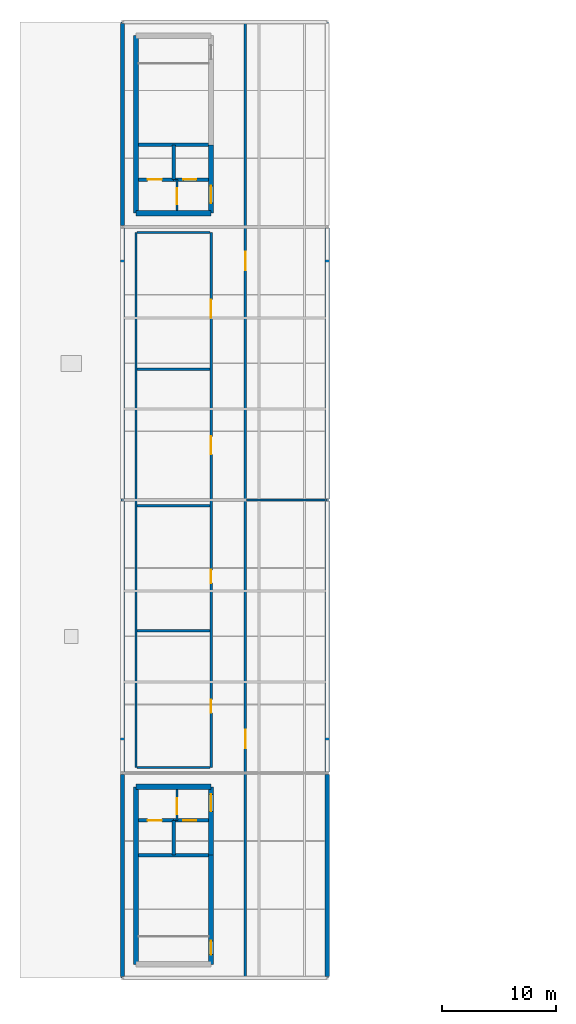
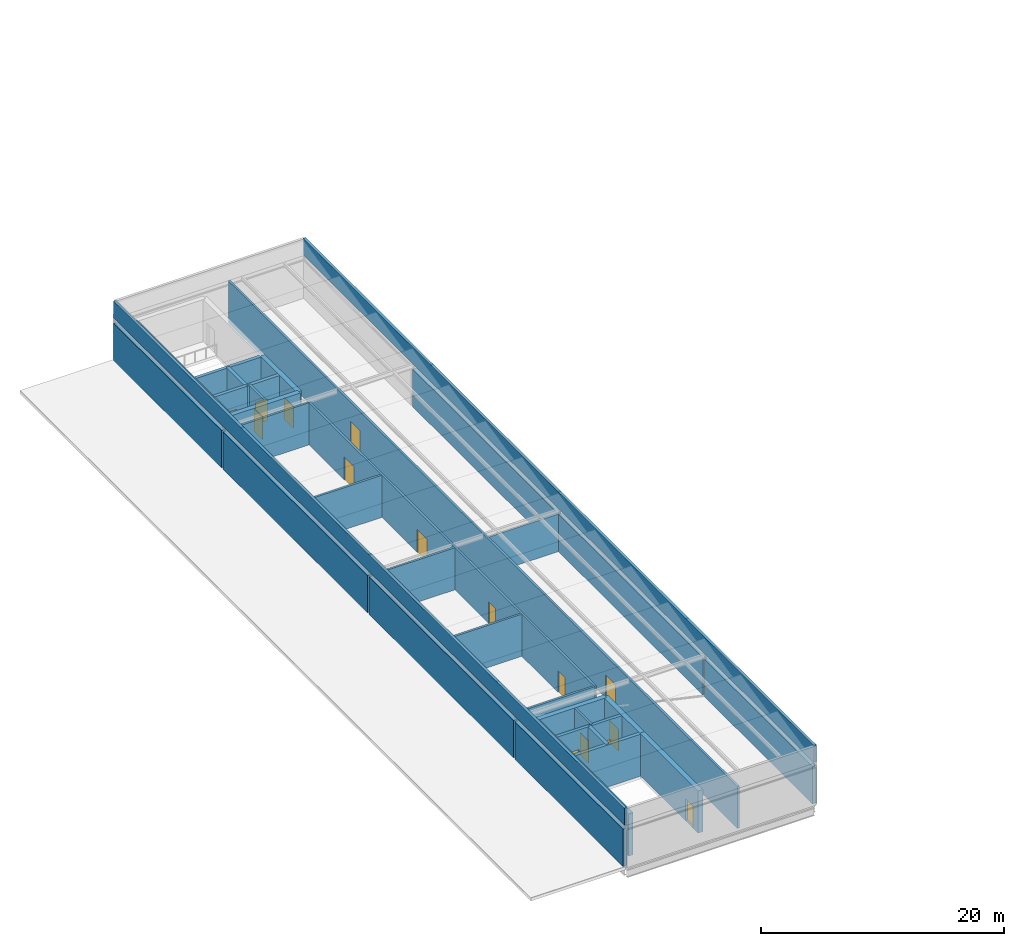
# One storey, part 9 of 13: 35 walls, 15 doors, 15 openings.
"""IFC4 building model written with IfcOpenShell, lengths in metres."""

from ifc_helpers import new_model, si_unit, direction, frame, frame_2d, origin, place, context, subcontext, project, spatial, rectangle, extrude, material, layer, layer_set, type_object, element, fill, save


model = new_model("IFC4")

# Units and contexts
model_context = context("Model", 3, precision=1e-05, world=origin(), true_north=direction((0.0, 1.0)))
body_context = subcontext(model_context, "Body", "Model", "MODEL_VIEW")
ifc_project = project(units=[si_unit("LENGTHUNIT", "METRE"), si_unit("AREAUNIT", "SQUARE_METRE"), si_unit("VOLUMEUNIT", "CUBIC_METRE"), si_unit("PLANEANGLEUNIT", "RADIAN"), si_unit("MASSUNIT", "GRAM", prefix="KILO")], contexts=[model_context])

# Site, building, storey
site_placement = place(None, origin())
site = spatial("IfcSite", under=ifc_project, at=site_placement, CompositionType="ELEMENT")
building_placement = place(site_placement, origin())
building = spatial("IfcBuilding", under=site, at=building_placement, Name="Kisiwana Market Hall", CompositionType="ELEMENT")
storey_placement = place(building_placement, frame((0.0, 0.0, 69.89990234375)))
storey = spatial("IfcBuildingStorey", under=building, at=storey_placement, Name="L16", CompositionType="ELEMENT", Elevation=69.89990234375)

# Wall, opening, door
ifc_material_1 = material(Name="Masonry blockwork", Category="masonry")
ifc_layer_1 = layer(ifc_material_1, 0.199951171875, Name="Plastered fire compartment block wall")
ifc_layer_set_1 = layer_set([ifc_layer_1], Name="WL-COMP-200")
wall_type_1 = type_object("IfcWallType", Name="WL-COMP-200", PredefinedType="PARTITIONING", material=ifc_layer_set_1)
wall_1_placement = place(storey_placement, frame((13.800048828125, 31.844970703125, 0.0), z_axis=(0.0, 0.0, 1.0), x_axis=(0.0, 1.0, 0.0)))
wall_1 = element("IfcWall", 1, at=wall_1_placement, inside=storey, type_object=wall_type_1, Name="Core W2 firefighting lobby wall W-3547", PredefinedType="PARTITIONING", context=body_context, shape_type="SweptSolid", body=[
    extrude(rectangle(XDim=2.72998046875, YDim=0.199951171875, at=frame_2d((1.364990234375, 0.0))), origin(), (0.0, 0.0, 1.0), 4.22509765625),
])
opening_1_placement = place(wall_1_placement, frame((0.550048828125, 0.0, 0.0)))
opening_1 = element("IfcOpeningElement", 2, at=opening_1_placement, cuts=wall_1, Name="Opening DR-L16-003", PredefinedType="OPENING", context=body_context, shape_type="SweptSolid", body=[
    extrude(rectangle(XDim=1.39990234375, YDim=2.25, at=frame_2d((0.699951171875, 1.125))), frame((0.0, 0.11181640625, 0.0), z_axis=(0.0, -1.0, 0.0), x_axis=(1.0, 0.0, 0.0)), (0.0, 0.0, 1.0), 0.223876953125),
])
ifc_material_2 = material(Name="Steel S275", Category="steel")
door_type_1 = type_object("IfcDoorType", Name="DR-FFLOB-FD120-1400", OperationType="DOUBLE_DOOR_SINGLE_SWING", PredefinedType="DOOR", material=ifc_material_2)
door_1_placement = place(opening_1_placement, frame((1.39990234375, 0.0, 0.0), z_axis=(0.0, 0.0, 1.0), x_axis=(-1.0, 0.0, 0.0)))
door_1 = element("IfcDoor", 3, at=door_1_placement, inside=storey, type_object=door_type_1, Name="Firefighting Lift Lobby W2 Door (L16)", OperationType="DOUBLE_DOOR_SINGLE_SWING", OverallHeight=2.25, OverallWidth=1.39990234375, PredefinedType="DOOR", context=body_context, shape_type="SweptSolid", body=[
    extrude(rectangle(XDim=1.39990234375, YDim=2.25, at=frame_2d((0.699951171875, 1.125))), frame((0.0, 0.02490234375, 0.0), z_axis=(0.0, -1.0, 0.0), x_axis=(1.0, 0.0, 0.0)), (0.0, 0.0, 1.0), 0.050048828125),
])
fill(opening_1, door_1)

wall_2_placement = place(storey_placement, frame((13.800048828125, 85.425048828125, 0.0), z_axis=(0.0, 0.0, 1.0), x_axis=(0.0, 1.0, 0.0)))
wall_2 = element("IfcWall", 4, at=wall_2_placement, inside=storey, type_object=wall_type_1, Name="Core W1 firefighting lobby wall W-3548", PredefinedType="PARTITIONING", context=body_context, shape_type="SweptSolid", body=[
    extrude(rectangle(XDim=2.72998046875, YDim=0.199951171875, at=frame_2d((1.364990234375, 0.0))), origin(), (0.0, 0.0, 1.0), 4.22509765625),
])
opening_2_placement = place(wall_2_placement, frame((0.550048828125, 0.0, 0.0)))
opening_2 = element("IfcOpeningElement", 5, at=opening_2_placement, cuts=wall_2, Name="Opening DR-L16-006", PredefinedType="OPENING", context=body_context, shape_type="SweptSolid", body=[
    extrude(rectangle(XDim=1.39990234375, YDim=2.25, at=frame_2d((0.699951171875, 1.125))), frame((0.0, 0.11181640625, 0.0), z_axis=(0.0, -1.0, 0.0), x_axis=(1.0, 0.0, 0.0)), (0.0, 0.0, 1.0), 0.223876953125),
])
door_2_placement = place(opening_2_placement, frame((1.39990234375, 0.0, 0.0), z_axis=(0.0, 0.0, 1.0), x_axis=(-1.0, 0.0, 0.0)))
door_2 = element("IfcDoor", 6, at=door_2_placement, inside=storey, type_object=door_type_1, Name="Firefighting Lift Lobby W1 Door (L16)", OperationType="DOUBLE_DOOR_SINGLE_SWING", OverallHeight=2.25, OverallWidth=1.39990234375, PredefinedType="DOOR", context=body_context, shape_type="SweptSolid", body=[
    extrude(rectangle(XDim=1.39990234375, YDim=2.25, at=frame_2d((0.699951171875, 1.125))), frame((0.0, 0.02490234375, 0.0), z_axis=(0.0, -1.0, 0.0), x_axis=(1.0, 0.0, 0.0)), (0.0, 0.0, 1.0), 0.050048828125),
])
fill(opening_2, door_2)

# Wall
wall_3_placement = place(storey_placement, frame((10.199951171875, 36.5, 0.0), z_axis=(0.0, 0.0, 1.0), x_axis=(0.0, 1.0, 0.0)))
element("IfcWall", 7, at=wall_3_placement, inside=storey, type_object=wall_type_1, Name="Interior partition W-3551", PredefinedType="PARTITIONING", context=body_context, shape_type="SweptSolid", body=[
    extrude(rectangle(XDim=47.0, YDim=0.199951171875, at=frame_2d((23.5, 0.0))), origin(), (0.0, 0.0, 1.0), 4.22509765625),
])

# Wall, openings, doors
wall_4_placement = place(storey_placement, frame((16.800048828125, 36.5, 0.0), z_axis=(0.0, 0.0, 1.0), x_axis=(0.0, 1.0, 0.0)))
wall_4 = element("IfcWall", 8, at=wall_4_placement, inside=storey, type_object=wall_type_1, Name="Interior partition W-3552", PredefinedType="PARTITIONING", context=body_context, shape_type="SweptSolid", body=[
    extrude(rectangle(XDim=47.0, YDim=0.199951171875, at=frame_2d((23.5, 0.0))), origin(), (0.0, 0.0, 1.0), 4.22509765625),
])
opening_3_placement = place(wall_4_placement, frame((4.800048828125, 0.0, 0.0)))
opening_3 = element("IfcOpeningElement", 9, at=opening_3_placement, cuts=wall_4, Name="Opening DR-L16-013", PredefinedType="OPENING", context=body_context, shape_type="SweptSolid", body=[
    extrude(rectangle(XDim=1.14990234375, YDim=2.14990234375, at=frame_2d((0.574951171875, 1.074951171875))), frame((0.0, 0.11181640625, 0.0), z_axis=(0.0, -1.0, 0.0), x_axis=(1.0, 0.0, 0.0)), (0.0, 0.0, 1.0), 0.223876953125),
])
opening_4_placement = place(wall_4_placement, frame((16.199951171875, 0.0, 0.0)))
opening_4 = element("IfcOpeningElement", 10, at=opening_4_placement, cuts=wall_4, Name="Opening DR-L16-014", PredefinedType="OPENING", context=body_context, shape_type="SweptSolid", body=[
    extrude(rectangle(XDim=1.14990234375, YDim=2.14990234375, at=frame_2d((0.574951171875, 1.074951171875))), frame((0.0, 0.11181640625, 0.0), z_axis=(0.0, -1.0, 0.0), x_axis=(1.0, 0.0, 0.0)), (0.0, 0.0, 1.0), 0.223876953125),
])
opening_5_placement = place(wall_4_placement, frame((27.5, 0.0, 0.0)))
opening_5 = element("IfcOpeningElement", 11, at=opening_5_placement, cuts=wall_4, Name="Opening DR-L16-015", PredefinedType="OPENING", context=body_context, shape_type="SweptSolid", body=[
    extrude(rectangle(XDim=1.60009765625, YDim=2.300048828125, at=frame_2d((0.800048828125, 1.14990234375))), frame((0.0, 0.11181640625, 0.0), z_axis=(0.0, -1.0, 0.0), x_axis=(1.0, 0.0, 0.0)), (0.0, 0.0, 1.0), 0.223876953125),
])
opening_6_placement = place(wall_4_placement, frame((39.5, 0.0, 0.0)))
opening_6 = element("IfcOpeningElement", 12, at=opening_6_placement, cuts=wall_4, Name="Opening DR-L16-016", PredefinedType="OPENING", context=body_context, shape_type="SweptSolid", body=[
    extrude(rectangle(XDim=1.60009765625, YDim=2.300048828125, at=frame_2d((0.800048828125, 1.14990234375))), frame((0.0, 0.11181640625, 0.0), z_axis=(0.0, -1.0, 0.0), x_axis=(1.0, 0.0, 0.0)), (0.0, 0.0, 1.0), 0.223876953125),
])
ifc_material_3 = material(Name="Aluminium alloy 6063-T6", Category="aluminium")
door_type_2 = type_object("IfcDoorType", Name="DR-MEET-1150", OperationType="NOTDEFINED", PredefinedType="DOOR", material=ifc_material_3)
door_3_placement = place(opening_3_placement, origin())
door_3 = element("IfcDoor", 13, at=door_3_placement, inside=storey, type_object=door_type_2, Name="L16 W Observatory Gallery Door", OperationType="SINGLE_SWING_LEFT", OverallHeight=2.14990234375, OverallWidth=1.14990234375, PredefinedType="DOOR", context=body_context, shape_type="SweptSolid", body=[
    extrude(rectangle(XDim=1.14990234375, YDim=2.14990234375, at=frame_2d((0.574951171875, 1.074951171875))), frame((0.0, 0.02490234375, 0.0), z_axis=(0.0, -1.0, 0.0), x_axis=(1.0, 0.0, 0.0)), (0.0, 0.0, 1.0), 0.050048828125),
])
fill(opening_3, door_3)
door_4_placement = place(opening_4_placement, origin())
door_4 = element("IfcDoor", 14, at=door_4_placement, inside=storey, type_object=door_type_2, Name="L16 W Crown Executive Boardroom Door", OperationType="SINGLE_SWING_LEFT", OverallHeight=2.14990234375, OverallWidth=1.14990234375, PredefinedType="DOOR", context=body_context, shape_type="SweptSolid", body=[
    extrude(rectangle(XDim=1.14990234375, YDim=2.14990234375, at=frame_2d((0.574951171875, 1.074951171875))), frame((0.0, 0.02490234375, 0.0), z_axis=(0.0, -1.0, 0.0), x_axis=(1.0, 0.0, 0.0)), (0.0, 0.0, 1.0), 0.050048828125),
])
fill(opening_4, door_4)
ifc_material_4 = material(Name="Steel S275", Category="steel")
door_type_3 = type_object("IfcDoorType", Name="DR-PLANT-FD120-1600", OperationType="DOUBLE_DOOR_SINGLE_SWING", PredefinedType="DOOR", material=ifc_material_4)
door_5_placement = place(opening_5_placement, origin())
door_5 = element("IfcDoor", 15, at=door_5_placement, inside=storey, type_object=door_type_3, Name="L16 W Water Tank Room Door", OperationType="DOUBLE_DOOR_SINGLE_SWING", OverallHeight=2.300048828125, OverallWidth=1.60009765625, PredefinedType="DOOR", context=body_context, shape_type="SweptSolid", body=[
    extrude(rectangle(XDim=1.60009765625, YDim=2.300048828125, at=frame_2d((0.800048828125, 1.14990234375))), frame((0.0, 0.02490234375, 0.0), z_axis=(0.0, -1.0, 0.0), x_axis=(1.0, 0.0, 0.0)), (0.0, 0.0, 1.0), 0.050048828125),
])
fill(opening_5, door_5)
door_6_placement = place(opening_6_placement, origin())
door_6 = element("IfcDoor", 16, at=door_6_placement, inside=storey, type_object=door_type_3, Name="L16 W Chiller Plant Door", OperationType="DOUBLE_DOOR_SINGLE_SWING", OverallHeight=2.300048828125, OverallWidth=1.60009765625, PredefinedType="DOOR", context=body_context, shape_type="SweptSolid", body=[
    extrude(rectangle(XDim=1.60009765625, YDim=2.300048828125, at=frame_2d((0.800048828125, 1.14990234375))), frame((0.0, 0.02490234375, 0.0), z_axis=(0.0, -1.0, 0.0), x_axis=(1.0, 0.0, 0.0)), (0.0, 0.0, 1.0), 0.050048828125),
])
fill(opening_6, door_6)

# Walls
for number, where, z_axis, x_axis, name in (
    (17, (10.300048828125, 36.5, 0.0), (0.0, 0.0, 1.0), (1.0, 0.0, 0.0), "Interior partition W-3553"),
    (18, (10.300048828125, 48.5, 0.0), (0.0, 0.0, 1.0), (1.0, 0.0, 0.0), "Interior partition W-3554"),
    (19, (10.300048828125, 59.5, 0.0), (0.0, 0.0, 1.0), (1.0, 0.0, 0.0), "Interior partition W-3555"),
    (20, (10.300048828125, 71.5, 0.0), (0.0, 0.0, 1.0), (1.0, 0.0, 0.0), "Interior partition W-3556"),
    (21, (10.300048828125, 83.5, 0.0), (0.0, 0.0, 1.0), (1.0, 0.0, 0.0), "Interior partition W-3557"),
):
    element("IfcWall", number, at=place(storey_placement, frame(where, z_axis=z_axis, x_axis=x_axis)), inside=storey, type_object=wall_type_1, Name=name, PredefinedType="PARTITIONING", context=body_context, shape_type="SweptSolid", body=[
        extrude(rectangle(XDim=6.39990234375, YDim=0.199951171875, at=frame_2d((3.199951171875, 0.0))), origin(), (0.0, 0.0, 1.0), 4.22509765625),
    ])
wall_5_placement = place(storey_placement, frame((19.89990234375, 60.0, 0.0), z_axis=(0.0, 0.0, 1.0), x_axis=(1.0, 0.0, 0.0)))
element("IfcWall", 22, at=wall_5_placement, inside=storey, type_object=wall_type_1, Name="Interior partition W-3558", PredefinedType="PARTITIONING", context=body_context, shape_type="SweptSolid", body=[
    extrude(rectangle(XDim=6.955078125, YDim=0.199951171875, at=frame_2d((3.4775390625, 0.0))), origin(), (0.0, 0.0, 1.0), 3.76513671875),
])

# Wall, openings, doors
wall_6_placement = place(storey_placement, frame((19.800048828125, 18.14501953125, 0.0), z_axis=(0.0, 0.0, 1.0), x_axis=(0.0, 1.0, 0.0)))
wall_6 = element("IfcWall", 23, at=wall_6_placement, inside=storey, type_object=wall_type_1, Name="Interior partition W-3559", PredefinedType="PARTITIONING", context=body_context, shape_type="SweptSolid", body=[
    extrude(rectangle(XDim=83.7099609375, YDim=0.199951171875, at=frame_2d((41.85498046875, 0.0))), origin(), (0.0, 0.0, 1.0), 4.22509765625),
])
opening_7_placement = place(wall_6_placement, frame((20.054931640625, 0.0, 0.0)))
opening_7 = element("IfcOpeningElement", 24, at=opening_7_placement, cuts=wall_6, Name="Opening DR-L16-017", PredefinedType="OPENING", context=body_context, shape_type="SweptSolid", body=[
    extrude(rectangle(XDim=1.60009765625, YDim=2.300048828125, at=frame_2d((0.800048828125, 1.14990234375))), frame((0.0, 0.11181640625, 0.0), z_axis=(0.0, -1.0, 0.0), x_axis=(1.0, 0.0, 0.0)), (0.0, 0.0, 1.0), 0.223876953125),
])
opening_8_placement = place(wall_6_placement, frame((62.054931640625, 0.0, 0.0)))
opening_8 = element("IfcOpeningElement", 25, at=opening_8_placement, cuts=wall_6, Name="Opening DR-L16-018", PredefinedType="OPENING", context=body_context, shape_type="SweptSolid", body=[
    extrude(rectangle(XDim=1.60009765625, YDim=2.300048828125, at=frame_2d((0.800048828125, 1.14990234375))), frame((0.0, 0.11181640625, 0.0), z_axis=(0.0, -1.0, 0.0), x_axis=(1.0, 0.0, 0.0)), (0.0, 0.0, 1.0), 0.223876953125),
])
door_7_placement = place(opening_7_placement, frame((1.60009765625, 0.0, 0.0), z_axis=(0.0, 0.0, 1.0), x_axis=(-1.0, 0.0, 0.0)))
door_7 = element("IfcDoor", 26, at=door_7_placement, inside=storey, type_object=door_type_3, Name="L16 W Lift Machine and Pressurization Fan Room Door", OperationType="DOUBLE_DOOR_SINGLE_SWING", OverallHeight=2.300048828125, OverallWidth=1.60009765625, PredefinedType="DOOR", context=body_context, shape_type="SweptSolid", body=[
    extrude(rectangle(XDim=1.60009765625, YDim=2.300048828125, at=frame_2d((0.800048828125, 1.14990234375))), frame((0.0, 0.02490234375, 0.0), z_axis=(0.0, -1.0, 0.0), x_axis=(1.0, 0.0, 0.0)), (0.0, 0.0, 1.0), 0.050048828125),
])
fill(opening_7, door_7)
door_8_placement = place(opening_8_placement, frame((1.60009765625, 0.0, 0.0), z_axis=(0.0, 0.0, 1.0), x_axis=(-1.0, 0.0, 0.0)))
door_8 = element("IfcDoor", 27, at=door_8_placement, inside=storey, type_object=door_type_3, Name="L16 W Standby Power and Switchgear Plant Room Door", OperationType="DOUBLE_DOOR_SINGLE_SWING", OverallHeight=2.300048828125, OverallWidth=1.60009765625, PredefinedType="DOOR", context=body_context, shape_type="SweptSolid", body=[
    extrude(rectangle(XDim=1.60009765625, YDim=2.300048828125, at=frame_2d((0.800048828125, 1.14990234375))), frame((0.0, 0.02490234375, 0.0), z_axis=(0.0, -1.0, 0.0), x_axis=(1.0, 0.0, 0.0)), (0.0, 0.0, 1.0), 0.050048828125),
])
fill(opening_8, door_8)

# Walls
ifc_material_5 = material(Name="Concrete C40/50", Category="concrete")
ifc_layer_2 = layer(ifc_material_5, 0.320068359375, Name="Reinforced concrete shaft wall")
ifc_layer_set_2 = layer_set([ifc_layer_2], Name="WL-CORE-320")
wall_type_2 = type_object("IfcWallType", Name="WL-CORE-320", PredefinedType="SHEAR", material=ifc_layer_set_2)
wall_7_placement = place(storey_placement, frame((10.425048828125, 28.784912109375, 0.0), z_axis=(0.0, 0.0, 1.0), x_axis=(1.0, 0.0, 0.0)))
element("IfcWall", 28, at=wall_7_placement, inside=storey, type_object=wall_type_2, Name="Core W2 shaft back shear wall W-3496", PredefinedType="SHEAR", context=body_context, shape_type="SweptSolid", body=[
    extrude(rectangle(XDim=6.14990234375, YDim=0.320068359375, at=frame_2d((3.074951171875, 0.0))), origin(), (0.0, 0.0, 1.0), 4.22509765625),
])
wall_8_placement = place(storey_placement, frame((13.5, 28.784912109375, 0.0), z_axis=(0.0, 0.0, 1.0), x_axis=(0.0, 1.0, 0.0)))
element("IfcWall", 29, at=wall_8_placement, inside=storey, type_object=wall_type_2, Name="Core W2 inter-shaft shear wall W-3497", PredefinedType="SHEAR", context=body_context, shape_type="SweptSolid", body=[
    extrude(rectangle(XDim=3.06005859375, YDim=0.320068359375, at=frame_2d((1.530029296875, 0.0))), origin(), (0.0, 0.0, 1.0), 4.22509765625),
])

# Wall, opening, door
wall_9_placement = place(storey_placement, frame((10.425048828125, 31.844970703125, 0.0), z_axis=(0.0, 0.0, 1.0), x_axis=(1.0, 0.0, 0.0)))
wall_9 = element("IfcWall", 30, at=wall_9_placement, inside=storey, type_object=wall_type_2, Name="Core W2 west lift front wall W-3498", PredefinedType="SHEAR", context=body_context, shape_type="SweptSolid", body=[
    extrude(rectangle(XDim=3.074951171875, YDim=0.320068359375, at=frame_2d((1.53759765625, 0.0))), origin(), (0.0, 0.0, 1.0), 4.22509765625),
])
opening_9_placement = place(wall_9_placement, frame((0.800048828125, 0.0, 0.0)))
opening_9 = element("IfcOpeningElement", 31, at=opening_9_placement, cuts=wall_9, Name="Opening LD-L16-001", PredefinedType="OPENING", context=body_context, shape_type="SweptSolid", body=[
    extrude(rectangle(XDim=1.25, YDim=2.25, at=frame_2d((0.625, 1.125))), frame((0.0, 0.171875, 0.0), z_axis=(0.0, -1.0, 0.0), x_axis=(1.0, 0.0, 0.0)), (0.0, 0.0, 1.0), 0.343994140625),
])
ifc_material_6 = material(Name="Steel S275", Category="steel")
door_type_4 = type_object("IfcDoorType", Name="DR-LIFT-FFL-1250", OperationType="DOUBLE_DOOR_SLIDING", PredefinedType="DOOR", material=ifc_material_6)
door_9_placement = place(opening_9_placement, origin())
door_9 = element("IfcDoor", 32, at=door_9_placement, inside=storey, type_object=door_type_4, Name="Lift Landing Door FFL-01 (L16)", OperationType="DOUBLE_DOOR_SLIDING", OverallHeight=2.25, OverallWidth=1.25, PredefinedType="DOOR", context=body_context, shape_type="SweptSolid", body=[
    extrude(rectangle(XDim=1.25, YDim=2.25, at=frame_2d((0.625, 1.125))), frame((0.0, 0.02490234375, 0.0), z_axis=(0.0, -1.0, 0.0), x_axis=(1.0, 0.0, 0.0)), (0.0, 0.0, 1.0), 0.050048828125),
])
fill(opening_9, door_9)

wall_10_placement = place(storey_placement, frame((13.5, 31.844970703125, 0.0), z_axis=(0.0, 0.0, 1.0), x_axis=(1.0, 0.0, 0.0)))
wall_10 = element("IfcWall", 33, at=wall_10_placement, inside=storey, type_object=wall_type_2, Name="Core W2 east lift front wall W-3499", PredefinedType="SHEAR", context=body_context, shape_type="SweptSolid", body=[
    extrude(rectangle(XDim=3.074951171875, YDim=0.320068359375, at=frame_2d((1.53759765625, 0.0))), origin(), (0.0, 0.0, 1.0), 4.22509765625),
])
opening_10_placement = place(wall_10_placement, frame((0.85009765625, 0.0, 0.0)))
opening_10 = element("IfcOpeningElement", 34, at=opening_10_placement, cuts=wall_10, Name="Opening LD-L16-002", PredefinedType="OPENING", context=body_context, shape_type="SweptSolid", body=[
    extrude(rectangle(XDim=1.14990234375, YDim=2.199951171875, at=frame_2d((0.574951171875, 1.10009765625))), frame((0.0, 0.171875, 0.0), z_axis=(0.0, -1.0, 0.0), x_axis=(1.0, 0.0, 0.0)), (0.0, 0.0, 1.0), 0.343994140625),
])
ifc_material_7 = material(Name="Steel S275", Category="steel")
door_type_5 = type_object("IfcDoorType", Name="DR-LIFT-PAX-1150", OperationType="DOUBLE_DOOR_SLIDING", PredefinedType="DOOR", material=ifc_material_7)
door_10_placement = place(opening_10_placement, origin())
door_10 = element("IfcDoor", 35, at=door_10_placement, inside=storey, type_object=door_type_5, Name="Lift Landing Door LP-01 (L16)", OperationType="DOUBLE_DOOR_SLIDING", OverallHeight=2.199951171875, OverallWidth=1.14990234375, PredefinedType="DOOR", context=body_context, shape_type="SweptSolid", body=[
    extrude(rectangle(XDim=1.14990234375, YDim=2.199951171875, at=frame_2d((0.574951171875, 1.10009765625))), frame((0.0, 0.02490234375, 0.0), z_axis=(0.0, -1.0, 0.0), x_axis=(1.0, 0.0, 0.0)), (0.0, 0.0, 1.0), 0.050048828125),
])
fill(opening_10, door_10)

# Walls
wall_11_placement = place(storey_placement, frame((10.425048828125, 91.215087890625, 0.0), z_axis=(0.0, 0.0, 1.0), x_axis=(1.0, 0.0, 0.0)))
element("IfcWall", 36, at=wall_11_placement, inside=storey, type_object=wall_type_2, Name="Core W1 shaft back shear wall W-3505", PredefinedType="SHEAR", context=body_context, shape_type="SweptSolid", body=[
    extrude(rectangle(XDim=6.14990234375, YDim=0.320068359375, at=frame_2d((3.074951171875, 0.0))), origin(), (0.0, 0.0, 1.0), 4.22509765625),
])
wall_12_placement = place(storey_placement, frame((13.5, 88.155029296875, 0.0), z_axis=(0.0, 0.0, 1.0), x_axis=(0.0, 1.0, 0.0)))
element("IfcWall", 37, at=wall_12_placement, inside=storey, type_object=wall_type_2, Name="Core W1 inter-shaft shear wall W-3506", PredefinedType="SHEAR", context=body_context, shape_type="SweptSolid", body=[
    extrude(rectangle(XDim=3.06005859375, YDim=0.320068359375, at=frame_2d((1.530029296875, 0.0))), origin(), (0.0, 0.0, 1.0), 4.22509765625),
])

# Wall, opening, door
wall_13_placement = place(storey_placement, frame((10.425048828125, 88.155029296875, 0.0), z_axis=(0.0, 0.0, 1.0), x_axis=(1.0, 0.0, 0.0)))
wall_13 = element("IfcWall", 38, at=wall_13_placement, inside=storey, type_object=wall_type_2, Name="Core W1 west lift front wall W-3507", PredefinedType="SHEAR", context=body_context, shape_type="SweptSolid", body=[
    extrude(rectangle(XDim=3.074951171875, YDim=0.320068359375, at=frame_2d((1.53759765625, 0.0))), origin(), (0.0, 0.0, 1.0), 4.22509765625),
])
opening_11_placement = place(wall_13_placement, frame((0.800048828125, 0.0, 0.0)))
opening_11 = element("IfcOpeningElement", 39, at=opening_11_placement, cuts=wall_13, Name="Opening LD-L16-003", PredefinedType="OPENING", context=body_context, shape_type="SweptSolid", body=[
    extrude(rectangle(XDim=1.25, YDim=2.25, at=frame_2d((0.625, 1.125))), frame((0.0, 0.171875, 0.0), z_axis=(0.0, -1.0, 0.0), x_axis=(1.0, 0.0, 0.0)), (0.0, 0.0, 1.0), 0.343994140625),
])
door_11_placement = place(opening_11_placement, origin())
door_11 = element("IfcDoor", 40, at=door_11_placement, inside=storey, type_object=door_type_4, Name="Lift Landing Door FFL-02 (L16)", OperationType="DOUBLE_DOOR_SLIDING", OverallHeight=2.25, OverallWidth=1.25, PredefinedType="DOOR", context=body_context, shape_type="SweptSolid", body=[
    extrude(rectangle(XDim=1.25, YDim=2.25, at=frame_2d((0.625, 1.125))), frame((0.0, 0.02490234375, 0.0), z_axis=(0.0, -1.0, 0.0), x_axis=(1.0, 0.0, 0.0)), (0.0, 0.0, 1.0), 0.050048828125),
])
fill(opening_11, door_11)

wall_14_placement = place(storey_placement, frame((13.5, 88.155029296875, 0.0), z_axis=(0.0, 0.0, 1.0), x_axis=(1.0, 0.0, 0.0)))
wall_14 = element("IfcWall", 41, at=wall_14_placement, inside=storey, type_object=wall_type_2, Name="Core W1 east lift front wall W-3508", PredefinedType="SHEAR", context=body_context, shape_type="SweptSolid", body=[
    extrude(rectangle(XDim=3.074951171875, YDim=0.320068359375, at=frame_2d((1.53759765625, 0.0))), origin(), (0.0, 0.0, 1.0), 4.22509765625),
])
opening_12_placement = place(wall_14_placement, frame((0.85009765625, 0.0, 0.0)))
opening_12 = element("IfcOpeningElement", 42, at=opening_12_placement, cuts=wall_14, Name="Opening LD-L16-004", PredefinedType="OPENING", context=body_context, shape_type="SweptSolid", body=[
    extrude(rectangle(XDim=1.14990234375, YDim=2.199951171875, at=frame_2d((0.574951171875, 1.10009765625))), frame((0.0, 0.171875, 0.0), z_axis=(0.0, -1.0, 0.0), x_axis=(1.0, 0.0, 0.0)), (0.0, 0.0, 1.0), 0.343994140625),
])
door_12_placement = place(opening_12_placement, origin())
door_12 = element("IfcDoor", 43, at=door_12_placement, inside=storey, type_object=door_type_5, Name="Lift Landing Door LP-02 (L16)", OperationType="DOUBLE_DOOR_SLIDING", OverallHeight=2.199951171875, OverallWidth=1.14990234375, PredefinedType="DOOR", context=body_context, shape_type="SweptSolid", body=[
    extrude(rectangle(XDim=1.14990234375, YDim=2.199951171875, at=frame_2d((0.574951171875, 1.10009765625))), frame((0.0, 0.02490234375, 0.0), z_axis=(0.0, -1.0, 0.0), x_axis=(1.0, 0.0, 0.0)), (0.0, 0.0, 1.0), 0.050048828125),
])
fill(opening_12, door_12)

# Walls
ifc_material_8 = material(Name="Concrete C40/50", Category="concrete")
ifc_layer_3 = layer(ifc_material_8, 0.449951171875, Name="Reinforced concrete core wall")
ifc_layer_set_3 = layer_set([ifc_layer_3], Name="WL-CORE-450")
wall_type_3 = type_object("IfcWallType", Name="WL-CORE-450", PredefinedType="SHEAR", material=ifc_layer_set_3)
wall_15_placement = place(storey_placement, frame((10.199951171875, 34.800048828125, 0.0), z_axis=(0.0, 0.0, 1.0), x_axis=(1.0, 0.0, 0.0)))
element("IfcWall", 44, at=wall_15_placement, inside=storey, type_object=wall_type_3, Name="Core W2 north shear wall W-3492", PredefinedType="SHEAR", context=body_context, shape_type="SweptSolid", body=[
    extrude(rectangle(XDim=6.60009765625, YDim=0.449951171875, at=frame_2d((3.300048828125, 0.0))), origin(), (0.0, 0.0, 1.0), 4.22509765625),
])
wall_16_placement = place(storey_placement, frame((10.199951171875, 19.199951171875, 0.0), z_axis=(0.0, 0.0, 1.0), x_axis=(0.0, 1.0, 0.0)))
element("IfcWall", 45, at=wall_16_placement, inside=storey, type_object=wall_type_3, Name="Core W2 outer shear wall W-3493", PredefinedType="SHEAR", context=body_context, shape_type="SweptSolid", body=[
    extrude(rectangle(XDim=15.60009765625, YDim=0.449951171875, at=frame_2d((7.800048828125, 0.0))), origin(), (0.0, 0.0, 1.0), 4.22509765625),
])

# Wall, opening, door
wall_17_placement = place(storey_placement, frame((16.800048828125, 19.199951171875, 0.0), z_axis=(0.0, 0.0, 1.0), x_axis=(0.0, 1.0, 0.0)))
wall_17 = element("IfcWall", 46, at=wall_17_placement, inside=storey, type_object=wall_type_3, Name="Core W2 stair corridor shear wall W-3494", PredefinedType="SHEAR", context=body_context, shape_type="SweptSolid", body=[
    extrude(rectangle(XDim=9.5849609375, YDim=0.449951171875, at=frame_2d((4.79248046875, 0.0))), origin(), (0.0, 0.0, 1.0), 4.22509765625),
])
opening_13_placement = place(wall_17_placement, frame((0.85009765625, 0.0, 0.0)))
opening_13 = element("IfcOpeningElement", 47, at=opening_13_placement, cuts=wall_17, Name="Opening DR-L16-001", PredefinedType="OPENING", context=body_context, shape_type="SweptSolid", body=[
    extrude(rectangle(XDim=1.199951171875, YDim=2.199951171875, at=frame_2d((0.60009765625, 1.10009765625))), frame((0.0, 0.23681640625, 0.0), z_axis=(0.0, -1.0, 0.0), x_axis=(1.0, 0.0, 0.0)), (0.0, 0.0, 1.0), 0.473876953125),
])
ifc_material_9 = material(Name="Steel S275", Category="steel")
door_type_6 = type_object("IfcDoorType", Name="DR-STAIR-FD120-1200", OperationType="NOTDEFINED", PredefinedType="DOOR", material=ifc_material_9)
door_13_placement = place(opening_13_placement, origin())
door_13 = element("IfcDoor", 48, at=door_13_placement, inside=storey, type_object=door_type_6, Name="Escape Stair W2 Fire Door (L16)", OperationType="SINGLE_SWING_LEFT", OverallHeight=2.199951171875, OverallWidth=1.199951171875, PredefinedType="DOOR", context=body_context, shape_type="SweptSolid", body=[
    extrude(rectangle(XDim=1.199951171875, YDim=2.199951171875, at=frame_2d((0.60009765625, 1.10009765625))), frame((0.0, 0.02490234375, 0.0), z_axis=(0.0, -1.0, 0.0), x_axis=(1.0, 0.0, 0.0)), (0.0, 0.0, 1.0), 0.050048828125),
])
fill(opening_13, door_13)

wall_18_placement = place(storey_placement, frame((16.800048828125, 28.784912109375, 0.0), z_axis=(0.0, 0.0, 1.0), x_axis=(0.0, 1.0, 0.0)))
wall_18 = element("IfcWall", 49, at=wall_18_placement, inside=storey, type_object=wall_type_3, Name="Core W2 lobby corridor shear wall W-3495", PredefinedType="SHEAR", context=body_context, shape_type="SweptSolid", body=[
    extrude(rectangle(XDim=6.01513671875, YDim=0.449951171875, at=frame_2d((3.007568359375, 0.0))), origin(), (0.0, 0.0, 1.0), 4.22509765625),
])
opening_14_placement = place(wall_18_placement, frame((3.85009765625, 0.0, 0.0)))
opening_14 = element("IfcOpeningElement", 50, at=opening_14_placement, cuts=wall_18, Name="Opening DR-L16-002", PredefinedType="OPENING", context=body_context, shape_type="SweptSolid", body=[
    extrude(rectangle(XDim=1.5, YDim=2.199951171875, at=frame_2d((0.75, 1.10009765625))), frame((0.0, 0.23681640625, 0.0), z_axis=(0.0, -1.0, 0.0), x_axis=(1.0, 0.0, 0.0)), (0.0, 0.0, 1.0), 0.473876953125),
])
ifc_material_10 = material(Name="Steel S275", Category="steel")
door_type_7 = type_object("IfcDoorType", Name="DR-CORR-FD60-1500", OperationType="DOUBLE_DOOR_SINGLE_SWING", PredefinedType="DOOR", material=ifc_material_10)
door_14_placement = place(opening_14_placement, frame((1.5, 0.0, 0.0), z_axis=(0.0, 0.0, 1.0), x_axis=(-1.0, 0.0, 0.0)))
door_14 = element("IfcDoor", 51, at=door_14_placement, inside=storey, type_object=door_type_7, Name="Passenger Lift Lobby W2 Smoke Door (L16)", OperationType="DOUBLE_DOOR_SINGLE_SWING", OverallHeight=2.199951171875, OverallWidth=1.5, PredefinedType="DOOR", context=body_context, shape_type="SweptSolid", body=[
    extrude(rectangle(XDim=1.5, YDim=2.199951171875, at=frame_2d((0.75, 1.10009765625))), frame((0.0, 0.02490234375, 0.0), z_axis=(0.0, -1.0, 0.0), x_axis=(1.0, 0.0, 0.0)), (0.0, 0.0, 1.0), 0.050048828125),
])
fill(opening_14, door_14)

# Walls
wall_19_placement = place(storey_placement, frame((10.199951171875, 85.199951171875, 0.0), z_axis=(0.0, 0.0, 1.0), x_axis=(1.0, 0.0, 0.0)))
element("IfcWall", 52, at=wall_19_placement, inside=storey, type_object=wall_type_3, Name="Core W1 south shear wall W-3500", PredefinedType="SHEAR", context=body_context, shape_type="SweptSolid", body=[
    extrude(rectangle(XDim=6.60009765625, YDim=0.449951171875, at=frame_2d((3.300048828125, 0.0))), origin(), (0.0, 0.0, 1.0), 4.22509765625),
])
wall_20_placement = place(storey_placement, frame((10.199951171875, 85.199951171875, 0.0), z_axis=(0.0, 0.0, 1.0), x_axis=(0.0, 1.0, 0.0)))
element("IfcWall", 53, at=wall_20_placement, inside=storey, type_object=wall_type_3, Name="Core W1 outer shear wall W-3502", PredefinedType="SHEAR", context=body_context, shape_type="SweptSolid", body=[
    extrude(rectangle(XDim=15.60009765625, YDim=0.449951171875, at=frame_2d((7.800048828125, 0.0))), origin(), (0.0, 0.0, 1.0), 4.22509765625),
])

# Wall, opening, door
wall_21_placement = place(storey_placement, frame((16.800048828125, 85.199951171875, 0.0), z_axis=(0.0, 0.0, 1.0), x_axis=(0.0, 1.0, 0.0)))
wall_21 = element("IfcWall", 54, at=wall_21_placement, inside=storey, type_object=wall_type_3, Name="Core W1 lobby corridor shear wall W-3503", PredefinedType="SHEAR", context=body_context, shape_type="SweptSolid", body=[
    extrude(rectangle(XDim=6.01513671875, YDim=0.449951171875, at=frame_2d((3.007568359375, 0.0))), origin(), (0.0, 0.0, 1.0), 4.22509765625),
])
opening_15_placement = place(wall_21_placement, frame((0.89990234375, 0.0, 0.0)))
opening_15 = element("IfcOpeningElement", 55, at=opening_15_placement, cuts=wall_21, Name="Opening DR-L16-004", PredefinedType="OPENING", context=body_context, shape_type="SweptSolid", body=[
    extrude(rectangle(XDim=1.5, YDim=2.199951171875, at=frame_2d((0.75, 1.10009765625))), frame((0.0, 0.23681640625, 0.0), z_axis=(0.0, -1.0, 0.0), x_axis=(1.0, 0.0, 0.0)), (0.0, 0.0, 1.0), 0.473876953125),
])
door_15_placement = place(opening_15_placement, frame((1.5, 0.0, 0.0), z_axis=(0.0, 0.0, 1.0), x_axis=(-1.0, 0.0, 0.0)))
door_15 = element("IfcDoor", 56, at=door_15_placement, inside=storey, type_object=door_type_7, Name="Passenger Lift Lobby W1 Smoke Door (L16)", OperationType="DOUBLE_DOOR_SINGLE_SWING", OverallHeight=2.199951171875, OverallWidth=1.5, PredefinedType="DOOR", context=body_context, shape_type="SweptSolid", body=[
    extrude(rectangle(XDim=1.5, YDim=2.199951171875, at=frame_2d((0.75, 1.10009765625))), frame((0.0, 0.02490234375, 0.0), z_axis=(0.0, -1.0, 0.0), x_axis=(1.0, 0.0, 0.0)), (0.0, 0.0, 1.0), 0.050048828125),
])
fill(opening_15, door_15)

# Walls
ifc_material_11 = material(Name="Concrete C40/50 precast", Category="concrete")
ifc_layer_4 = layer(ifc_material_11, 0.364990234375)
ifc_layer_set_4 = layer_set([ifc_layer_4], Name="WL-EXT-365")
wall_type_4 = type_object("IfcWallType", Name="WL-EXT-365", PredefinedType="STANDARD", material=ifc_layer_set_4)
wall_22_placement = place(storey_placement, frame((9.0, 18.107666015625, 0.0), z_axis=(0.0, 0.0, 1.0), x_axis=(0.0, 1.0, 0.0)))
element("IfcWall", 57, at=wall_22_placement, inside=storey, type_object=wall_type_4, Name="Exterior wall W-3531", PredefinedType="STANDARD", context=body_context, shape_type="SweptSolid", body=[
    extrude(rectangle(XDim=17.78466796875, YDim=0.364990234375, at=frame_2d((8.892333984375, 0.0))), origin(), (0.0, 0.0, 1.0), 3.76513671875),
])
for number, where, z_axis, x_axis, name in (
    (58, (9.0, 36.107666015625, 0.0), (0.0, 0.0, 1.0), (0.0, 1.0, 0.0), "Exterior wall W-3532"),
    (59, (9.0, 60.107666015625, 0.0), (0.0, 0.0, 1.0), (0.0, 1.0, 0.0), "Exterior wall W-3533"),
):
    element("IfcWall", number, at=place(storey_placement, frame(where, z_axis=z_axis, x_axis=x_axis)), inside=storey, type_object=wall_type_4, Name=name, PredefinedType="STANDARD", context=body_context, shape_type="SweptSolid", body=[
        extrude(rectangle(XDim=23.78466796875, YDim=0.364990234375, at=frame_2d((11.892333984375, 0.0))), origin(), (0.0, 0.0, 1.0), 3.76513671875),
    ])
for number, where, z_axis, x_axis, name in (
    (60, (9.0, 84.107666015625, 0.0), (0.0, 0.0, 1.0), (0.0, 1.0, 0.0), "Exterior wall W-3534"),
    (61, (27.0, 18.107666015625, 0.0), (0.0, 0.0, 1.0), (0.0, 1.0, 0.0), "Exterior wall W-3535"),
):
    element("IfcWall", number, at=place(storey_placement, frame(where, z_axis=z_axis, x_axis=x_axis)), inside=storey, type_object=wall_type_4, Name=name, PredefinedType="STANDARD", context=body_context, shape_type="SweptSolid", body=[
        extrude(rectangle(XDim=17.78466796875, YDim=0.364990234375, at=frame_2d((8.892333984375, 0.0))), origin(), (0.0, 0.0, 1.0), 3.76513671875),
    ])
for number, where, z_axis, x_axis, name in (
    (62, (27.0, 36.107666015625, 0.0), (0.0, 0.0, 1.0), (0.0, 1.0, 0.0), "Exterior wall W-3536"),
    (63, (27.0, 60.107666015625, 0.0), (0.0, 0.0, 1.0), (0.0, 1.0, 0.0), "Exterior wall W-3537"),
):
    element("IfcWall", number, at=place(storey_placement, frame(where, z_axis=z_axis, x_axis=x_axis)), inside=storey, type_object=wall_type_4, Name=name, PredefinedType="STANDARD", context=body_context, shape_type="SweptSolid", body=[
        extrude(rectangle(XDim=23.78466796875, YDim=0.364990234375, at=frame_2d((11.892333984375, 0.0))), origin(), (0.0, 0.0, 1.0), 3.76513671875),
    ])
ifc_material_12 = material(Name="Concrete C40/50", Category="concrete")
ifc_layer_5 = layer(ifc_material_12, 0.239990234375, Name="Reinforced concrete roof parapet")
ifc_layer_set_5 = layer_set([ifc_layer_5], Name="WL-PARA-240")
wall_type_5 = type_object("IfcWallType", Name="WL-PARA-240", PredefinedType="PARAPET", material=ifc_layer_set_5)
for number, where, z_axis, x_axis, name in (
    (64, (9.0, 18.0, 4.22509765625), (0.0, 0.0, 1.0), (0.0, 1.0, 0.0), "Roof parapet wall W-3571"),
    (65, (27.0, 18.0, 4.22509765625), (0.0, 0.0, 1.0), (0.0, 1.0, 0.0), "Roof parapet wall W-3572"),
):
    element("IfcWall", number, at=place(storey_placement, frame(where, z_axis=z_axis, x_axis=x_axis)), inside=storey, type_object=wall_type_5, Name=name, PredefinedType="PARAPET", context=body_context, shape_type="SweptSolid", body=[
        extrude(rectangle(XDim=84.0, YDim=0.239990234375, at=frame_2d((42.0, 0.0))), origin(), (0.0, 0.0, 1.0), 1.675048828125),
    ])

save(model, "model.ifc")
